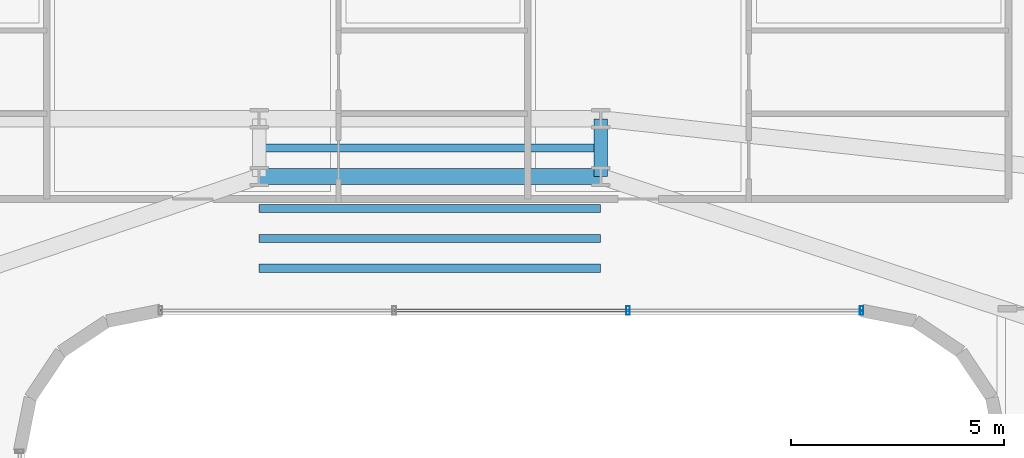
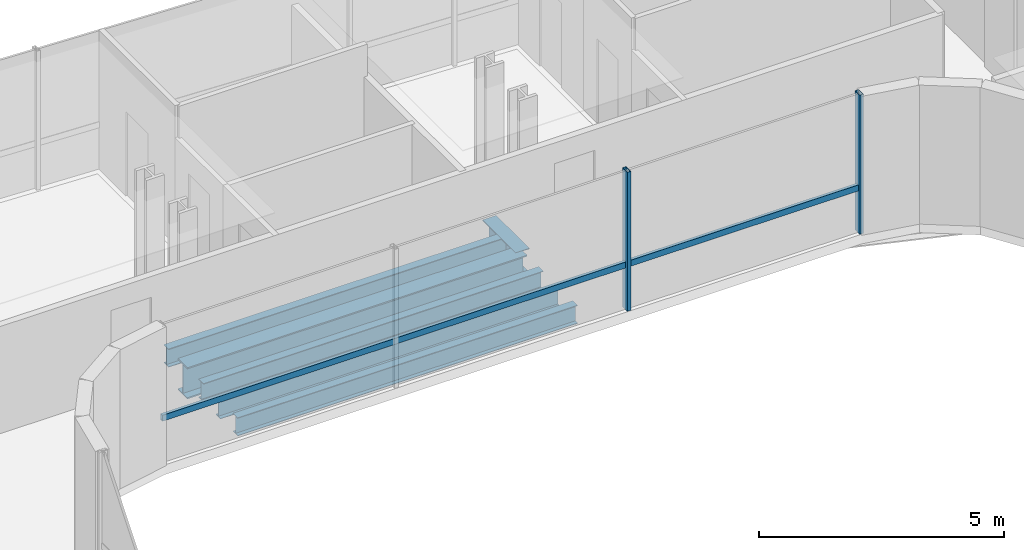
# One storey, part 16 of 37: 6 beams, 3 members, 1 element without a shape of its own.
"""IFC4 building model written with IfcOpenShell, lengths in metres."""

from ifc_helpers import new_model, si_unit, direction, frame, origin, origin_2d, place, context, subcontext, project, spatial, hollow_rectangle, i_section, extrude, source, transform, mapped, material, material_profile, profile_set, type_object, element, aggregate, save


model = new_model("IFC4")

# Units and contexts
model_context = context("Model", 3, precision=1e-05, world=origin(), true_north=direction((0.0, 1.0)))
body_context = subcontext(model_context, "Body", "Model", "MODEL_VIEW")
ifc_project = project(units=[si_unit("LENGTHUNIT", "METRE"), si_unit("AREAUNIT", "SQUARE_METRE"), si_unit("VOLUMEUNIT", "CUBIC_METRE"), si_unit("PLANEANGLEUNIT", "RADIAN"), si_unit("MASSUNIT", "GRAM", prefix="KILO")], contexts=[model_context])

# Site, building, storey
site_placement = place(None, origin())
site = spatial("IfcSite", under=ifc_project, at=site_placement, CompositionType="ELEMENT")
building_placement = place(site_placement, origin())
building = spatial("IfcBuilding", under=site, at=building_placement, Name="Valdorenza Pilgrim Sanctuary Tower", CompositionType="ELEMENT")
storey_placement = place(building_placement, frame((0.0, 0.0, 127.89990234375)))
storey = spatial("IfcBuildingStorey", under=building, at=storey_placement, Name="L32", CompositionType="ELEMENT", Elevation=127.89990234375)

# Beams
ifc_material_1 = material(Name="Steel ASTM A992 Grade 50", Category="steel")
ifc_material_profile_1 = material_profile(ifc_material_1, i_section(OverallWidth=0.323974609375, OverallDepth=0.611083984375, WebThickness=0.0126953125, FlangeThickness=0.01904296875, at=origin_2d()), Name="W24X104")
ifc_profile_set_1 = profile_set([ifc_material_profile_1], Name="Steel ASTM A992 Grade 50")
beam_type_1 = type_object("IfcBeamType", Name="STR-BM-GRD-W24B", PredefinedType="BEAM", material=ifc_profile_set_1)
shared_shape_1 = source(origin(), body_context, "Body", "SweptSolid", [
    extrude(i_section(OverallWidth=0.323974609375, OverallDepth=0.611083984375, WebThickness=0.0126953125, FlangeThickness=0.01904296875, at=origin_2d()), origin(), (0.0, 0.0, 1.0), 1.35009765625),
])
beam_1_placement = place(storey_placement, frame((4.0, 13.449951171875, -0.54541015625), z_axis=(0.0, 1.0, 0.0), x_axis=(-1.0, 0.0, 0.0)))
element("IfcBeam", 1, at=beam_1_placement, inside=storey, type_object=beam_type_1, Name="L32 Floor Girder KNK-TIE-E", PredefinedType="BEAM", context=body_context, shape_type="MappedRepresentation", body=[
    mapped(shared_shape_1, transform((0.0, 0.0, 0.0), x_axis=(1.0, 0.0, 0.0), y_axis=(0.0, 1.0, 0.0), z_axis=(0.0, 0.0, 1.0), scale=1.0)),
])
ifc_material_profile_2 = material_profile(ifc_material_1, i_section(OverallWidth=0.382080078125, OverallDepth=0.779052734375, WebThickness=0.01806640625, FlangeThickness=0.030029296875, at=origin_2d()), Name="W30X191")
ifc_profile_set_2 = profile_set([ifc_material_profile_2], Name="Steel ASTM A992 Grade 50")
beam_type_2 = type_object("IfcBeamType", Name="STR-BM-GRD-W30", PredefinedType="BEAM", material=ifc_profile_set_2)
shared_shape_2 = source(origin(), body_context, "Body", "SweptSolid", [
    extrude(i_section(OverallWidth=0.382080078125, OverallDepth=0.779052734375, WebThickness=0.01806640625, FlangeThickness=0.030029296875, at=origin_2d()), origin(), (0.0, 0.0, 1.0), 8.0),
])
beam_2_placement = place(storey_placement, frame((-4.0, 13.449951171875, -0.62939453125), z_axis=(1.0, 0.0, 0.0), x_axis=(0.0, 1.0, 0.0)))
element("IfcBeam", 2, at=beam_2_placement, inside=storey, type_object=beam_type_2, Name="L32 Floor Girder KNK-G2", PredefinedType="BEAM", context=body_context, shape_type="MappedRepresentation", body=[
    mapped(shared_shape_2, transform((0.0, 0.0, 0.0), x_axis=(1.0, 0.0, 0.0), y_axis=(0.0, 1.0, 0.0), z_axis=(0.0, 0.0, 1.0), scale=1.0)),
])
ifc_material_profile_3 = material_profile(ifc_material_1, i_section(OverallWidth=0.19091796875, OverallDepth=0.45703125, WebThickness=0.009033203125, FlangeThickness=0.014404296875, at=origin_2d()), Name="W18X50")
ifc_profile_set_3 = profile_set([ifc_material_profile_3], Name="Steel ASTM A992 Grade 50")
beam_type_3 = type_object("IfcBeamType", Name="STR-BM-JST-W18B", PredefinedType="JOIST", material=ifc_profile_set_3)
shared_shape_3 = source(origin(), body_context, "Body", "SweptSolid", [
    extrude(i_section(OverallWidth=0.19091796875, OverallDepth=0.45703125, WebThickness=0.009033203125, FlangeThickness=0.014404296875, at=origin_2d()), origin(), (0.0, 0.0, 1.0), 8.0),
])
for number, where, z_axis, x_axis, name in (
    (3, (-4.0, 11.300048828125, -0.468505859375), (1.0, 0.0, 0.0), (0.0, 1.0, 0.0), "L32 Knuckle Composite Joist JST-KNK-1"),
    (4, (-4.0, 12.0, -0.468505859375), (1.0, 0.0, 0.0), (0.0, 1.0, 0.0), "L32 Knuckle Composite Joist JST-KNK-2"),
    (5, (-4.0, 12.699951171875, -0.468505859375), (1.0, 0.0, 0.0), (0.0, 1.0, 0.0), "L32 Knuckle Composite Joist JST-KNK-3"),
    (6, (-4.0, 14.1201171875, -0.468505859375), (1.0, 0.0, 0.0), (0.0, 1.0, 0.0), "L32 Knuckle Composite Joist JST-KNK-4"),
):
    element("IfcBeam", number, at=place(storey_placement, frame(where, z_axis=z_axis, x_axis=x_axis)), inside=storey, type_object=beam_type_3, Name=name, PredefinedType="JOIST", context=body_context, shape_type="MappedRepresentation", body=[
        mapped(shared_shape_3, transform((0.0, 0.0, 0.0), x_axis=(1.0, 0.0, 0.0), y_axis=(0.0, 1.0, 0.0), z_axis=(0.0, 0.0, 1.0), scale=1.0)),
    ])

# Curtain wall, members
ifc_material_2 = material(Name="Curtain-wall IGU glazing", Category="glass")
curtain_wall_type = type_object("IfcCurtainWallType", Name="CW-SYS-02", PredefinedType="NOTDEFINED", material=ifc_material_2)
curtain_wall_placement = place(storey_placement, origin())
curtain_wall = element("IfcCurtainWall", 7, at=curtain_wall_placement, inside=storey, type_object=curtain_wall_type, Name="L32 Curtain Wall CW-L32-1-36", PredefinedType="NOTDEFINED")
ifc_material_3 = material(Name="Anodised aluminium AW-6060", Category="aluminium")
ifc_material_profile_4 = material_profile(ifc_material_3, hollow_rectangle(XDim=0.074951171875, YDim=0.14990234375, WallThickness=0.00390625, at=origin_2d()), Name="ALU-T 150x75x4")
ifc_profile_set_4 = profile_set([ifc_material_profile_4], Name="Anodised aluminium AW-6060")
member_type_1 = type_object("IfcMemberType", Name="CW-TRN-02", PredefinedType="USERDEFINED", material=ifc_profile_set_4)
shared_shape_4 = source(origin(), body_context, "Body", "SweptSolid", [
    extrude(hollow_rectangle(XDim=0.074951171875, YDim=0.14990234375, WallThickness=0.00390625, at=origin_2d()), origin(), (0.0, 0.0, 1.0), 16.421630859375),
])
member_1_placement = place(storey_placement, frame((10.11083984375, 10.31005859375, 1.1201171875), z_axis=(-1.0, 0.0, 0.0), x_axis=(0.0, -1.0, 0.0)))
member_1 = element("IfcMember", 8, at=member_1_placement, type_object=member_type_1, Name="CW-L32-1-36 Transom 1", ObjectType="TRANSOM", PredefinedType="USERDEFINED", context=body_context, shape_type="MappedRepresentation", body=[
    mapped(shared_shape_4, transform((0.0, 0.0, 0.0), x_axis=(1.0, 0.0, 0.0), y_axis=(0.0, 1.0, 0.0), z_axis=(0.0, 0.0, 1.0), scale=1.0)),
])
ifc_material_profile_5 = material_profile(ifc_material_3, hollow_rectangle(XDim=0.0849609375, YDim=0.199951171875, WallThickness=0.0048828125, at=origin_2d()), Name="ALU-M 200x85x5")
ifc_profile_set_5 = profile_set([ifc_material_profile_5], Name="Anodised aluminium AW-6060")
member_type_2 = type_object("IfcMemberType", Name="CW-MUL-02", PredefinedType="MULLION", material=ifc_profile_set_5)
shared_shape_5 = source(origin(), body_context, "Body", "SweptSolid", [
    extrude(hollow_rectangle(XDim=0.0849609375, YDim=0.199951171875, WallThickness=0.0048828125, at=origin_2d()), origin(), (0.0, 0.0, 1.0), 3.460205078125),
])
member_2_placement = place(storey_placement, frame((10.11083984375, 10.31005859375, 0.0), z_axis=(0.0, 0.0, 1.0), x_axis=(-1.0, 0.0, 0.0)))
member_2 = element("IfcMember", 9, at=member_2_placement, type_object=member_type_2, Name="CW-L32-1-36 Mullion 1", PredefinedType="MULLION", context=body_context, shape_type="MappedRepresentation", body=[
    mapped(shared_shape_5, transform((0.0, 0.0, 0.0), x_axis=(1.0, 0.0, 0.0), y_axis=(0.0, 1.0, 0.0), z_axis=(0.0, 0.0, 1.0), scale=1.0)),
])
member_3_placement = place(storey_placement, frame((4.636962890625, 10.31005859375, 0.0), z_axis=(0.0, 0.0, 1.0), x_axis=(-1.0, 0.0, 0.0)))
member_3 = element("IfcMember", 10, at=member_3_placement, type_object=member_type_2, Name="CW-L32-1-36 Mullion 2", PredefinedType="MULLION", context=body_context, shape_type="MappedRepresentation", body=[
    mapped(shared_shape_5, transform((0.0, 0.0, 0.0), x_axis=(1.0, 0.0, 0.0), y_axis=(0.0, 1.0, 0.0), z_axis=(0.0, 0.0, 1.0), scale=1.0)),
])
aggregate(curtain_wall, [member_2, member_3, member_1])

save(model, "model.ifc")
